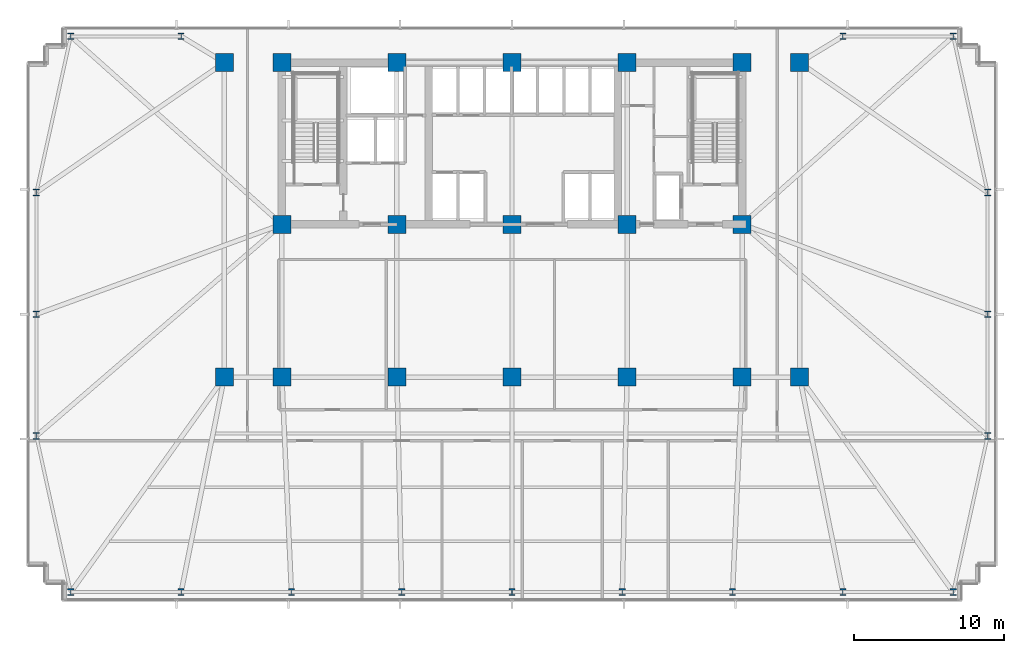
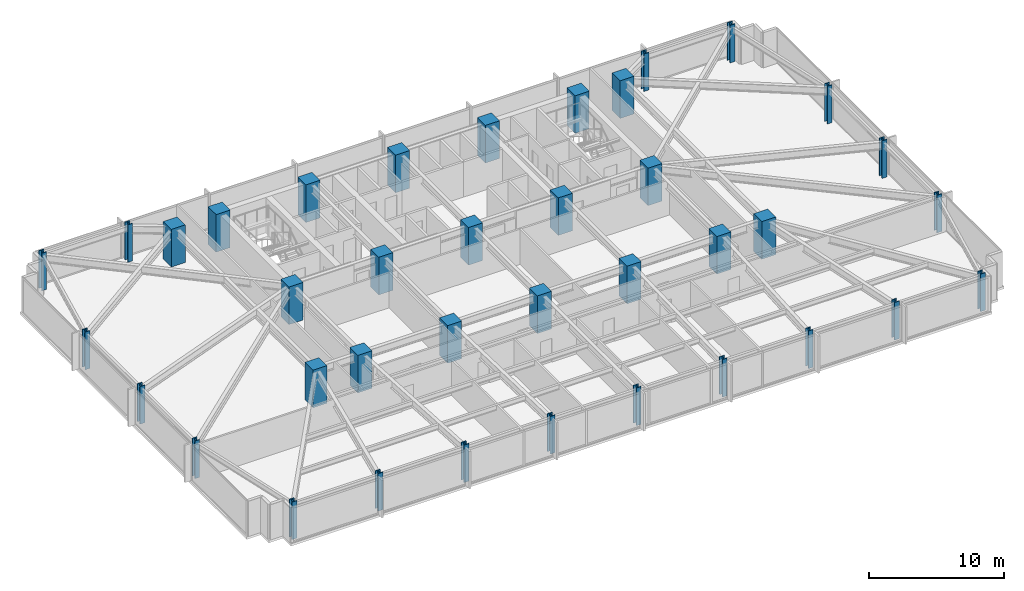
# One storey, part 1 of 32: 38 columns.
"""IFC4 building model written with IfcOpenShell, lengths in metres."""

from ifc_helpers import new_model, si_unit, direction, frame, origin, origin_2d, place, context, subcontext, project, spatial, rectangle, i_section, extrude, material, material_profile, profile_set, type_object, element, save


model = new_model("IFC4")

# Units and contexts
model_context = context("Model", 3, precision=1e-05, world=origin(), true_north=direction((0.0, 1.0)))
body_context = subcontext(model_context, "Body", "Model", "MODEL_VIEW")
ifc_project = project(units=[si_unit("LENGTHUNIT", "METRE"), si_unit("AREAUNIT", "SQUARE_METRE"), si_unit("VOLUMEUNIT", "CUBIC_METRE"), si_unit("PLANEANGLEUNIT", "RADIAN"), si_unit("MASSUNIT", "GRAM", prefix="KILO")], contexts=[model_context])

# Site, building, storey
site_placement = place(None, origin())
site = spatial("IfcSite", under=ifc_project, at=site_placement, CompositionType="ELEMENT")
building_placement = place(site_placement, origin())
building = spatial("IfcBuilding", under=site, at=building_placement, Name="Yelkora Congress Tower", CompositionType="ELEMENT")
storey_placement = place(building_placement, frame((0.0, 0.0, 44.0)))
storey = spatial("IfcBuildingStorey", under=building, at=storey_placement, Name="L10", CompositionType="ELEMENT", Elevation=44.0)

# Columns
ifc_material_1 = material(Name="Steel S460M", Category="steel")
ifc_material_profile_1 = material_profile(ifc_material_1, i_section(OverallWidth=0.41796875, OverallDepth=0.455078125, WebThickness=0.0419921875, FlangeThickness=0.068115234375, FilletRadius=0.014892578125, at=origin_2d()), Name="HD 400x551")
ifc_profile_set_1 = profile_set([ifc_material_profile_1], Name="Steel S460M")
column_type_1 = type_object("IfcColumnType", Name="COL-HD-551-EXT", PredefinedType="COLUMN", material=ifc_profile_set_1)
for number, where, z_axis, x_axis, name in (
    (1, (8.949951171875, 10.85009765625, 0.0), (0.0, 0.0, 1.0), (1.0, 0.0, 0.0), "L10 Perimeter Column S01"),
    (2, (16.3125, 10.85009765625, 0.0), (0.0, 0.0, 1.0), (1.0, 0.0, 0.0), "L10 Perimeter Column S02"),
    (3, (23.675048828125, 10.85009765625, 0.0), (0.0, 0.0, 1.0), (1.0, 0.0, 0.0), "L10 Perimeter Column S03"),
    (4, (31.03759765625, 10.85009765625, 0.0), (0.0, 0.0, 1.0), (1.0, 0.0, 0.0), "L10 Perimeter Column S04"),
    (5, (38.39990234375, 10.85009765625, 0.0), (0.0, 0.0, 1.0), (1.0, 0.0, 0.0), "L10 Perimeter Column S05"),
    (6, (45.762451171875, 10.85009765625, 0.0), (0.0, 0.0, 1.0), (1.0, 0.0, 0.0), "L10 Perimeter Column S06"),
    (7, (53.125, 10.85009765625, 0.0), (0.0, 0.0, 1.0), (1.0, 0.0, 0.0), "L10 Perimeter Column S07"),
    (8, (60.487548828125, 10.85009765625, 0.0), (0.0, 0.0, 1.0), (1.0, 0.0, 0.0), "L10 Perimeter Column S08"),
    (9, (67.85009765625, 10.85009765625, 0.0), (0.0, 0.0, 1.0), (1.0, 0.0, 0.0), "L10 Perimeter Column S09"),
    (10, (8.949951171875, 47.949951171875, 0.0), (0.0, 0.0, 1.0), (1.0, 0.0, 0.0), "L10 Perimeter Column N01"),
    (11, (16.3125, 47.949951171875, 0.0), (0.0, 0.0, 1.0), (1.0, 0.0, 0.0), "L10 Perimeter Column N02"),
    (12, (60.487548828125, 47.949951171875, 0.0), (0.0, 0.0, 1.0), (1.0, 0.0, 0.0), "L10 Perimeter Column N08"),
    (13, (67.85009765625, 47.949951171875, 0.0), (0.0, 0.0, 1.0), (1.0, 0.0, 0.0), "L10 Perimeter Column N09"),
    (14, (6.64990234375, 21.27490234375, 0.0), (0.0, 0.0, 1.0), (1.0, 0.0, 0.0), "L10 Perimeter Column W01"),
    (15, (70.14990234375, 21.27490234375, 0.0), (0.0, 0.0, 1.0), (1.0, 0.0, 0.0), "L10 Perimeter Column E01"),
    (16, (6.64990234375, 29.39990234375, 0.0), (0.0, 0.0, 1.0), (1.0, 0.0, 0.0), "L10 Perimeter Column W02"),
    (17, (70.14990234375, 29.39990234375, 0.0), (0.0, 0.0, 1.0), (1.0, 0.0, 0.0), "L10 Perimeter Column E02"),
    (18, (6.64990234375, 37.52490234375, 0.0), (0.0, 0.0, 1.0), (1.0, 0.0, 0.0), "L10 Perimeter Column W03"),
    (19, (70.14990234375, 37.52490234375, 0.0), (0.0, 0.0, 1.0), (1.0, 0.0, 0.0), "L10 Perimeter Column E03"),
):
    element("IfcColumn", number, at=place(storey_placement, frame(where, z_axis=z_axis, x_axis=x_axis)), inside=storey, type_object=column_type_1, Name=name, PredefinedType="COLUMN", context=body_context, shape_type="SweptSolid", body=[
        extrude(i_section(OverallWidth=0.41796875, OverallDepth=0.455078125, WebThickness=0.0419921875, FlangeThickness=0.068115234375, FilletRadius=0.014892578125, at=origin_2d()), origin(), (0.0, 0.0, 1.0), 3.39990234375),
    ])
ifc_material_2 = material(Name="Concrete C60/75", Category="concrete")
ifc_material_profile_2 = material_profile(ifc_material_2, rectangle(XDim=1.199951171875, YDim=1.199951171875, at=origin_2d()), Name="RC 1200x1200")
ifc_profile_set_2 = profile_set([ifc_material_profile_2], Name="Concrete C60/75")
column_type_2 = type_object("IfcColumnType", Name="COL-RC-1200", PredefinedType="COLUMN", material=ifc_profile_set_2)
for number, where, z_axis, x_axis, name in (
    (20, (23.0400390625, 35.39990234375, 0.0), (0.0, 0.0, 1.0), (1.0, 0.0, 0.0), "L10 Mega Column MC-S1"),
    (21, (23.0400390625, 46.199951171875, 0.0), (0.0, 0.0, 1.0), (1.0, 0.0, 0.0), "L10 Mega Column MC-N1"),
    (22, (23.0400390625, 25.199951171875, 0.0), (0.0, 0.0, 1.0), (1.0, 0.0, 0.0), "L10 Mega Column MC-D1"),
    (23, (30.719970703125, 35.39990234375, 0.0), (0.0, 0.0, 1.0), (1.0, 0.0, 0.0), "L10 Mega Column MC-S2"),
    (24, (30.719970703125, 46.199951171875, 0.0), (0.0, 0.0, 1.0), (1.0, 0.0, 0.0), "L10 Mega Column MC-N2"),
    (25, (30.719970703125, 25.199951171875, 0.0), (0.0, 0.0, 1.0), (1.0, 0.0, 0.0), "L10 Mega Column MC-D2"),
    (26, (38.39990234375, 35.39990234375, 0.0), (0.0, 0.0, 1.0), (1.0, 0.0, 0.0), "L10 Mega Column MC-S3"),
    (27, (38.39990234375, 46.199951171875, 0.0), (0.0, 0.0, 1.0), (1.0, 0.0, 0.0), "L10 Mega Column MC-N3"),
    (28, (38.39990234375, 25.199951171875, 0.0), (0.0, 0.0, 1.0), (1.0, 0.0, 0.0), "L10 Mega Column MC-D3"),
    (29, (46.080078125, 35.39990234375, 0.0), (0.0, 0.0, 1.0), (1.0, 0.0, 0.0), "L10 Mega Column MC-S4"),
    (30, (46.080078125, 46.199951171875, 0.0), (0.0, 0.0, 1.0), (1.0, 0.0, 0.0), "L10 Mega Column MC-N4"),
    (31, (46.080078125, 25.199951171875, 0.0), (0.0, 0.0, 1.0), (1.0, 0.0, 0.0), "L10 Mega Column MC-D4"),
    (32, (53.760009765625, 35.39990234375, 0.0), (0.0, 0.0, 1.0), (1.0, 0.0, 0.0), "L10 Mega Column MC-S5"),
    (33, (53.760009765625, 46.199951171875, 0.0), (0.0, 0.0, 1.0), (1.0, 0.0, 0.0), "L10 Mega Column MC-N5"),
    (34, (53.760009765625, 25.199951171875, 0.0), (0.0, 0.0, 1.0), (1.0, 0.0, 0.0), "L10 Mega Column MC-D5"),
    (35, (19.199951171875, 25.199951171875, 0.0), (0.0, 0.0, 1.0), (1.0, 0.0, 0.0), "L10 Mega Column MC-F1"),
    (36, (57.60009765625, 25.199951171875, 0.0), (0.0, 0.0, 1.0), (1.0, 0.0, 0.0), "L10 Mega Column MC-F2"),
    (37, (19.199951171875, 46.199951171875, 0.0), (0.0, 0.0, 1.0), (1.0, 0.0, 0.0), "L10 Mega Column MC-F3"),
    (38, (57.60009765625, 46.199951171875, 0.0), (0.0, 0.0, 1.0), (1.0, 0.0, 0.0), "L10 Mega Column MC-F4"),
):
    element("IfcColumn", number, at=place(storey_placement, frame(where, z_axis=z_axis, x_axis=x_axis)), inside=storey, type_object=column_type_2, Name=name, PredefinedType="COLUMN", context=body_context, shape_type="SweptSolid", body=[
        extrude(rectangle(XDim=1.199951171875, YDim=1.199951171875, at=origin_2d()), origin(), (0.0, 0.0, 1.0), 3.39990234375),
    ])

save(model, "model.ifc")
